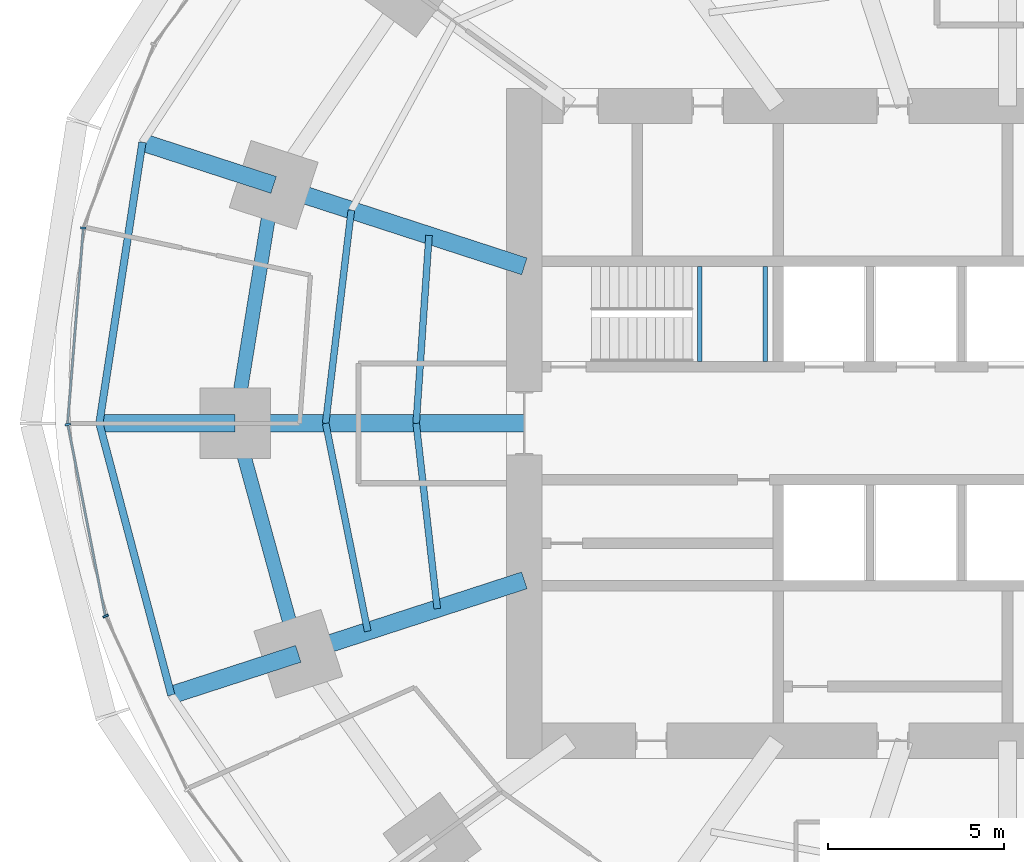
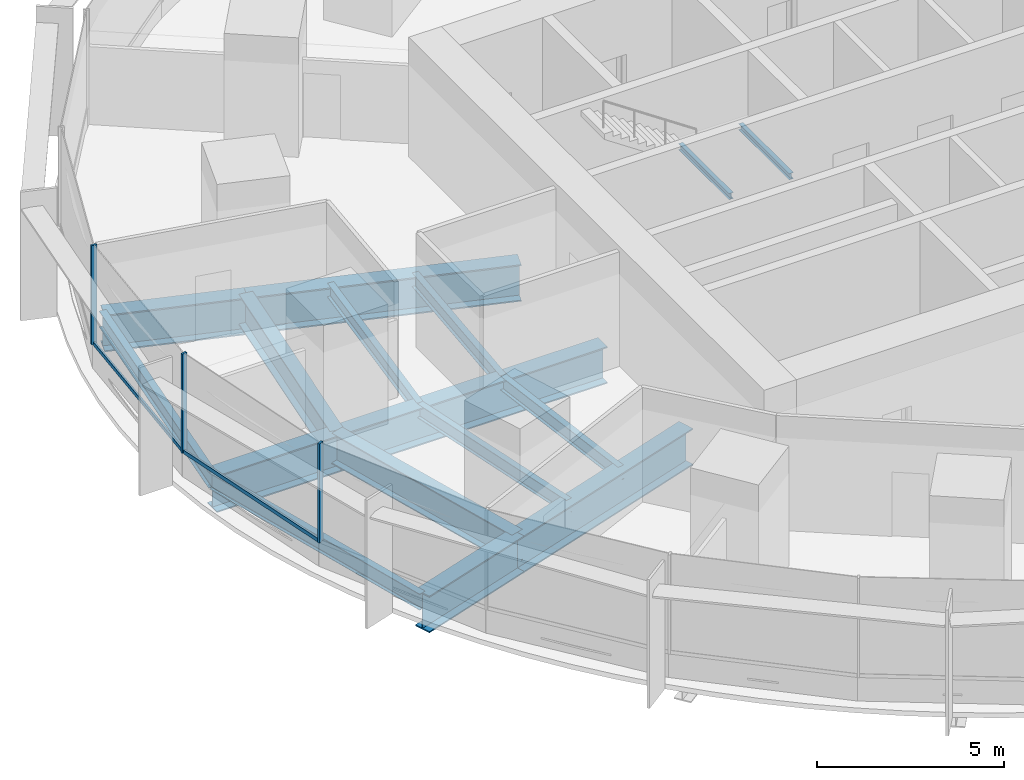
# One storey, part 4 of 15: 16 beams, 5 members, 2 elements without a shape of their own.
"""IFC4 building model written with IfcOpenShell, lengths in metres."""

from ifc_helpers import new_model, si_unit, direction, frame, origin, origin_2d, place, context, subcontext, project, spatial, rectangle, i_section, extrude, material, material_profile, profile_set, type_object, element, aggregate, save


model = new_model("IFC4")

# Units and contexts
model_context = context("Model", 3, precision=1e-05, world=origin(), true_north=direction((0.0, 1.0)))
body_context = subcontext(model_context, "Body", "Model", "MODEL_VIEW")
ifc_project = project(units=[si_unit("LENGTHUNIT", "METRE"), si_unit("AREAUNIT", "SQUARE_METRE"), si_unit("VOLUMEUNIT", "CUBIC_METRE"), si_unit("PLANEANGLEUNIT", "RADIAN"), si_unit("MASSUNIT", "GRAM", prefix="KILO")], contexts=[model_context])

# Site, building, storey
site_placement = place(None, origin())
site = spatial("IfcSite", under=ifc_project, at=site_placement, CompositionType="ELEMENT")
building_placement = place(site_placement, origin())
building = spatial("IfcBuilding", under=site, at=building_placement, Name="Marramba Exchange Tower", CompositionType="ELEMENT")
storey_placement = place(building_placement, frame((0.0, 0.0, 57.39990234375)))
storey = spatial("IfcBuildingStorey", under=building, at=storey_placement, Name="L13", CompositionType="ELEMENT", Elevation=57.39990234375)

# Beams
ifc_material_1 = material(Name="Steel AS/NZS 3679.2 grade 300", Category="steel")
ifc_material_profile_1 = material_profile(ifc_material_1, i_section(OverallWidth=0.5, OverallDepth=1.199951171875, WebThickness=0.01611328125, FlangeThickness=0.0400390625, at=origin_2d()), Name="1200WB455")
ifc_profile_set_1 = profile_set([ifc_material_profile_1], Name="Steel AS/NZS 3679.2 grade 300")
beam_type_1 = type_object("IfcBeamType", Name="Cantilever girder 1200WB455", PredefinedType="BEAM", material=ifc_profile_set_1)
beam_1_placement = place(storey_placement, frame((-20.808349609375, 6.760986328125, -0.760009765625), z_axis=(-0.951058833549, 0.309009862508, 0.0), x_axis=(-0.309009862508, -0.951058833549, 0.0)))
element("IfcBeam", 1, at=beam_1_placement, inside=storey, type_object=beam_type_1, Name="Cantilever girder L13 TC10", PredefinedType="BEAM", context=body_context, shape_type="SweptSolid", body=[
    extrude(i_section(OverallWidth=0.5, OverallDepth=1.199951171875, WebThickness=0.01611328125, FlangeThickness=0.0400390625, at=origin_2d()), origin(), (0.0, 0.0, 1.0), 3.91162109375),
])
beam_2_placement = place(storey_placement, frame((-21.89990234375, 0.0, -0.760009765625), z_axis=(-1.0, 0.0, 0.0), x_axis=(0.0, -1.0, 0.0)))
element("IfcBeam", 2, at=beam_2_placement, inside=storey, type_object=beam_type_1, Name="Cantilever girder L13 TC11", PredefinedType="BEAM", context=body_context, shape_type="SweptSolid", body=[
    extrude(i_section(OverallWidth=0.5, OverallDepth=1.199951171875, WebThickness=0.01611328125, FlangeThickness=0.0400390625, at=origin_2d()), origin(), (0.0, 0.0, 1.0), 3.85009765625),
])
beam_3_placement = place(storey_placement, frame((-20.109375, -6.533935546875, -0.760009765625), z_axis=(-0.951048759501, -0.309040866314, 0.0), x_axis=(0.309040866314, -0.951048759501, 0.0)))
element("IfcBeam", 3, at=beam_3_placement, inside=storey, type_object=beam_type_1, Name="Cantilever girder L13 TC12", PredefinedType="BEAM", context=body_context, shape_type="SweptSolid", body=[
    extrude(i_section(OverallWidth=0.5, OverallDepth=1.199951171875, WebThickness=0.01611328125, FlangeThickness=0.0400390625, at=origin_2d()), origin(), (0.0, 0.0, 1.0), 3.78564453125),
])
ifc_material_2 = material(Name="Steel AS/NZS 3679.1 grade 300", Category="steel")
ifc_material_profile_2 = material_profile(ifc_material_2, i_section(OverallWidth=0.18994140625, OverallDepth=0.4541015625, WebThickness=0.008544921875, FlangeThickness=0.0126953125, FilletRadius=0.011474609375, at=origin_2d()), Name="460UB67.1")
ifc_profile_set_2 = profile_set([ifc_material_profile_2], Name="Steel AS/NZS 3679.1 grade 300")
beam_type_2 = type_object("IfcBeamType", Name="Floor joist 460UB67.1", PredefinedType="JOIST", material=ifc_profile_set_2)
beam_4_placement = place(storey_placement, frame((-16.40283203125, 5.32958984375, -0.386962890625), z_axis=(-0.068096259546, -0.99767875563, 0.0), x_axis=(0.99767875563, -0.068096259546, 0.0)))
element("IfcBeam", 4, at=beam_4_placement, inside=storey, type_object=beam_type_2, Name="Joist L13 bay 10 row 1", PredefinedType="JOIST", context=body_context, shape_type="SweptSolid", body=[
    extrude(i_section(OverallWidth=0.18994140625, OverallDepth=0.4541015625, WebThickness=0.008544921875, FlangeThickness=0.0126953125, FilletRadius=0.011474609375, at=origin_2d()), origin(), (0.0, 0.0, 1.0), 5.342041015625),
])
beam_5_placement = place(storey_placement, frame((-18.60546875, 6.04541015625, -0.386962890625), z_axis=(-0.119523078538, -0.992831422597, 0.0), x_axis=(0.992831422597, -0.119523078538, 0.0)))
element("IfcBeam", 5, at=beam_5_placement, inside=storey, type_object=beam_type_2, Name="Joist L13 bay 10 row 2", PredefinedType="JOIST", context=body_context, shape_type="SweptSolid", body=[
    extrude(i_section(OverallWidth=0.18994140625, OverallDepth=0.4541015625, WebThickness=0.008544921875, FlangeThickness=0.0126953125, FilletRadius=0.011474609375, at=origin_2d()), origin(), (0.0, 0.0, 1.0), 6.089111328125),
])
beam_6_placement = place(storey_placement, frame((-16.7666015625, 0.0, -0.386962890625), z_axis=(0.112888968594, -0.993607609054, 0.0), x_axis=(0.993607609054, 0.112888968594, 0.0)))
element("IfcBeam", 6, at=beam_6_placement, inside=storey, type_object=beam_type_2, Name="Joist L13 bay 11 row 1", PredefinedType="JOIST", context=body_context, shape_type="SweptSolid", body=[
    extrude(i_section(OverallWidth=0.18994140625, OverallDepth=0.4541015625, WebThickness=0.008544921875, FlangeThickness=0.0126953125, FilletRadius=0.011474609375, at=origin_2d()), origin(), (0.0, 0.0, 1.0), 5.28759765625),
])
beam_7_placement = place(storey_placement, frame((-19.333251953125, 0.0, -0.386962890625), z_axis=(0.198489047047, -0.980103105904, 0.0), x_axis=(0.980103105904, 0.198489047047, 0.0)))
element("IfcBeam", 7, at=beam_7_placement, inside=storey, type_object=beam_type_2, Name="Joist L13 bay 11 row 2", PredefinedType="JOIST", context=body_context, shape_type="SweptSolid", body=[
    extrude(i_section(OverallWidth=0.18994140625, OverallDepth=0.4541015625, WebThickness=0.008544921875, FlangeThickness=0.0126953125, FilletRadius=0.011474609375, at=origin_2d()), origin(), (0.0, 0.0, 1.0), 6.013427734375),
])
ifc_material_profile_3 = material_profile(ifc_material_1, i_section(OverallWidth=0.5, OverallDepth=1.199951171875, WebThickness=0.01611328125, FlangeThickness=0.0400390625, at=origin_2d()), Name="1200WB455")
ifc_profile_set_3 = profile_set([ifc_material_profile_3], Name="Steel AS/NZS 3679.2 grade 300")
beam_type_3 = type_object("IfcBeamType", Name="Radial girder 1200WB455", PredefinedType="BEAM", material=ifc_profile_set_3)
beam_8_placement = place(storey_placement, frame((-13.699951171875, 4.451416015625, -0.760009765625), z_axis=(-0.951059990189, 0.309006302624, 0.0), x_axis=(-0.309006302624, -0.951059990189, 0.0)))
element("IfcBeam", 8, at=beam_8_placement, inside=storey, type_object=beam_type_3, Name="Radial girder L13 TC10", PredefinedType="BEAM", context=body_context, shape_type="SweptSolid", body=[
    extrude(i_section(OverallWidth=0.5, OverallDepth=1.199951171875, WebThickness=0.01611328125, FlangeThickness=0.0400390625, at=origin_2d()), origin(), (0.0, 0.0, 1.0), 7.47412109375),
])
beam_9_placement = place(storey_placement, frame((-13.699951171875, 0.0, -0.760009765625), z_axis=(-1.0, 0.0, 0.0), x_axis=(0.0, -1.0, 0.0)))
element("IfcBeam", 9, at=beam_9_placement, inside=storey, type_object=beam_type_3, Name="Radial girder L13 TC11", PredefinedType="BEAM", context=body_context, shape_type="SweptSolid", body=[
    extrude(i_section(OverallWidth=0.5, OverallDepth=1.199951171875, WebThickness=0.01611328125, FlangeThickness=0.0400390625, at=origin_2d()), origin(), (0.0, 0.0, 1.0), 8.199951171875),
])
beam_10_placement = place(storey_placement, frame((-13.699951171875, -4.451416015625, -0.760009765625), z_axis=(-0.951057759669, -0.309013167637, 0.0), x_axis=(0.309013167637, -0.951057759669, 0.0)))
element("IfcBeam", 10, at=beam_10_placement, inside=storey, type_object=beam_type_3, Name="Radial girder L13 TC12", PredefinedType="BEAM", context=body_context, shape_type="SweptSolid", body=[
    extrude(i_section(OverallWidth=0.5, OverallDepth=1.199951171875, WebThickness=0.01611328125, FlangeThickness=0.0400390625, at=origin_2d()), origin(), (0.0, 0.0, 1.0), 6.7392578125),
])
ifc_material_profile_4 = material_profile(ifc_material_1, i_section(OverallWidth=0.39990234375, OverallDepth=1.0, WebThickness=0.01611328125, FlangeThickness=0.031982421875, at=origin_2d()), Name="1000WB322")
ifc_profile_set_4 = profile_set([ifc_material_profile_4], Name="Steel AS/NZS 3679.2 grade 300")
beam_type_4 = type_object("IfcBeamType", Name="Ring beam 1000WB322", PredefinedType="SPANDREL", material=ifc_profile_set_4)
beam_11_placement = place(storey_placement, frame((-20.808349609375, 6.760986328125, -0.659912109375), z_axis=(-0.159384865399, -0.987216523708, 0.0), x_axis=(0.987216523708, -0.159384865399, 0.0)))
element("IfcBeam", 11, at=beam_11_placement, inside=storey, type_object=beam_type_4, Name="Ring beam L13 TC10-TC11", PredefinedType="SPANDREL", context=body_context, shape_type="SweptSolid", body=[
    extrude(i_section(OverallWidth=0.39990234375, OverallDepth=1.0, WebThickness=0.01611328125, FlangeThickness=0.031982421875, at=origin_2d()), origin(), (0.0, 0.0, 1.0), 6.8486328125),
])
beam_12_placement = place(storey_placement, frame((-21.89990234375, 0.0, -0.659912109375), z_axis=(0.264291166956, -0.964442937176, 0.0), x_axis=(0.964442937176, 0.264291166956, 0.0)))
element("IfcBeam", 12, at=beam_12_placement, inside=storey, type_object=beam_type_4, Name="Ring beam L13 TC11-TC12", PredefinedType="SPANDREL", context=body_context, shape_type="SweptSolid", body=[
    extrude(i_section(OverallWidth=0.39990234375, OverallDepth=1.0, WebThickness=0.01611328125, FlangeThickness=0.031982421875, at=origin_2d()), origin(), (0.0, 0.0, 1.0), 6.77490234375),
])
ifc_material_profile_5 = material_profile(ifc_material_2, i_section(OverallWidth=0.208984375, OverallDepth=0.528076171875, WebThickness=0.009521484375, FlangeThickness=0.01318359375, FilletRadius=0.013916015625, at=origin_2d()), Name="530UB82.0")
ifc_profile_set_5 = profile_set([ifc_material_profile_5], Name="Steel AS/NZS 3679.1 grade 300")
beam_type_5 = type_object("IfcBeamType", Name="Slab edge beam 530UB82.0", PredefinedType="SPANDREL", material=ifc_profile_set_5)
beam_13_placement = place(storey_placement, frame((-24.528564453125, 7.9697265625, -0.423828125), z_axis=(-0.151490591645, -0.988458699513, 0.0), x_axis=(0.988458699513, -0.151490591645, 0.0)))
element("IfcBeam", 13, at=beam_13_placement, inside=storey, type_object=beam_type_5, Name="Slab edge beam L13 TC10-TC11", PredefinedType="SPANDREL", context=body_context, shape_type="SweptSolid", body=[
    extrude(i_section(OverallWidth=0.208984375, OverallDepth=0.528076171875, WebThickness=0.009521484375, FlangeThickness=0.01318359375, FilletRadius=0.013916015625, at=origin_2d()), origin(), (0.0, 0.0, 1.0), 8.062744140625),
])
beam_14_placement = place(storey_placement, frame((-25.75, 0.0, -0.423828125), z_axis=(0.25601296674, -0.966673347549, 0.0), x_axis=(0.966673347549, 0.25601296674, 0.0)))
element("IfcBeam", 14, at=beam_14_placement, inside=storey, type_object=beam_type_5, Name="Slab edge beam L13 TC11-TC12", PredefinedType="SPANDREL", context=body_context, shape_type="SweptSolid", body=[
    extrude(i_section(OverallWidth=0.208984375, OverallDepth=0.528076171875, WebThickness=0.009521484375, FlangeThickness=0.01318359375, FilletRadius=0.013916015625, at=origin_2d()), origin(), (0.0, 0.0, 1.0), 7.969482421875),
])
ifc_material_profile_6 = material_profile(ifc_material_2, i_section(OverallWidth=0.133056640625, OverallDepth=0.202880859375, WebThickness=0.005859375, FlangeThickness=0.0078125, FilletRadius=0.0087890625, at=origin_2d()), Name="200UB25.4")
ifc_profile_set_6 = profile_set([ifc_material_profile_6], Name="Steel AS/NZS 3679.1 grade 300")
beam_type_6 = type_object("IfcBeamType", Name="Stair landing beam 200UB25.4", PredefinedType="BEAM", material=ifc_profile_set_6)
for number, where, z_axis, x_axis, name in (
    (15, (-8.723388671875, 1.75, 1.798583984375), (0.0, 1.0, 0.0), (-1.0, 0.0, 0.0), "Stair landing beam SLB1 ST1 L13 1"),
    (16, (-6.866455078125, 1.75, 1.798583984375), (0.0, 1.0, 0.0), (-1.0, 0.0, 0.0), "Stair landing beam SLB1 ST1 L13 2"),
):
    element("IfcBeam", number, at=place(storey_placement, frame(where, z_axis=z_axis, x_axis=x_axis)), inside=storey, type_object=beam_type_6, Name=name, PredefinedType="BEAM", context=body_context, shape_type="SweptSolid", body=[
        extrude(i_section(OverallWidth=0.133056640625, OverallDepth=0.202880859375, WebThickness=0.005859375, FlangeThickness=0.0078125, FilletRadius=0.0087890625, at=origin_2d()), origin(), (0.0, 0.0, 1.0), 2.699951171875),
    ])

# Curtain wall, member
ifc_material_3 = material(Name="Aluminium framing, bronze anodised", Category="aluminium")
curtain_wall_type = type_object("IfcCurtainWallType", Name="Trading floor ribbon curtain wall", PredefinedType="USERDEFINED", material=ifc_material_3)
curtain_wall_1_placement = place(storey_placement, origin())
curtain_wall_1 = element("IfcCurtainWall", 17, at=curtain_wall_1_placement, inside=storey, type_object=curtain_wall_type, Name="Curtain wall CW3 L13 F11-F15", ObjectType="RIBBON CURTAIN WALL", PredefinedType="USERDEFINED")
ifc_material_4 = material(Name="Aluminium mullion, bronze anodised", Category="aluminium")
ifc_material_profile_7 = material_profile(ifc_material_4, rectangle(XDim=0.159912109375, YDim=0.06005859375, at=origin_2d()), Name="CW3 mullion 60x160")
ifc_profile_set_7 = profile_set([ifc_material_profile_7], Name="Aluminium mullion, bronze anodised")
member_type_1 = type_object("IfcMemberType", Name="Trading floor ribbon curtain wall mullion", PredefinedType="MULLION", material=ifc_profile_set_7)
member_1_placement = place(storey_placement, frame((-26.203857421875, 5.539306640625, 0.800048828125), z_axis=(0.0, 0.0, 1.0), x_axis=(0.996772736434, -0.080275225953, 0.0)))
member_1 = element("IfcMember", 18, at=member_1_placement, type_object=member_type_1, Name="CW3 mullion 1", PredefinedType="MULLION", context=body_context, shape_type="SweptSolid", body=[
    extrude(rectangle(XDim=0.159912109375, YDim=0.06005859375, at=origin_2d()), origin(), (0.0, 0.0, 1.0), 3.239990234375),
])

# Curtain wall, members
curtain_wall_2_placement = place(storey_placement, origin())
curtain_wall_2 = element("IfcCurtainWall", 19, at=curtain_wall_2_placement, inside=storey, type_object=curtain_wall_type, Name="Curtain wall CW3 L13 F16-F20", ObjectType="RIBBON CURTAIN WALL", PredefinedType="USERDEFINED")
member_2_placement = place(storey_placement, frame((-26.644287109375, -0.029541015625, 0.800048828125), z_axis=(0.0, 0.0, 1.0), x_axis=(0.981346261612, 0.1922485756, 0.0)))
member_2 = element("IfcMember", 20, at=member_2_placement, type_object=member_type_1, Name="CW3 mullion 1", PredefinedType="MULLION", context=body_context, shape_type="SweptSolid", body=[
    extrude(rectangle(XDim=0.159912109375, YDim=0.06005859375, at=origin_2d()), origin(), (0.0, 0.0, 1.0), 3.239990234375),
])
member_3_placement = place(storey_placement, frame((-25.572021484375, -5.46533203125, 0.800048828125), z_axis=(0.0, 0.0, 1.0), x_axis=(0.905906758768, 0.423477206492, 0.0)))
member_3 = element("IfcMember", 21, at=member_3_placement, type_object=member_type_1, Name="CW3 mullion 1", PredefinedType="MULLION", context=body_context, shape_type="SweptSolid", body=[
    extrude(rectangle(XDim=0.159912109375, YDim=0.06005859375, at=origin_2d()), origin(), (0.0, 0.0, 1.0), 3.239990234375),
])

# Member
ifc_material_5 = material(Name="Aluminium transom, bronze anodised", Category="aluminium")
ifc_material_profile_8 = material_profile(ifc_material_5, rectangle(XDim=0.06005859375, YDim=0.1201171875, at=origin_2d()), Name="CW3 transom 60x120")
ifc_profile_set_8 = profile_set([ifc_material_profile_8], Name="Aluminium transom, bronze anodised")
member_type_2 = type_object("IfcMemberType", Name="Trading floor ribbon curtain wall transom", PredefinedType="USERDEFINED", material=ifc_profile_set_8)
member_4_placement = place(storey_placement, frame((-26.206298828125, 5.509521484375, 0.830078125), z_axis=(-0.080256075865, -0.996774278504, 0.0), x_axis=(0.996774278504, -0.080256075865, 0.0)))
member_4 = element("IfcMember", 22, at=member_4_placement, type_object=member_type_2, Name="CW3 sill transom", ObjectType="TRANSOM", PredefinedType="USERDEFINED", context=body_context, shape_type="SweptSolid", body=[
    extrude(rectangle(XDim=0.06005859375, YDim=0.1201171875, at=origin_2d()), origin(), (0.0, 0.0, 1.0), 5.52734375),
])

aggregate(curtain_wall_1, [member_1, member_4])

member_5_placement = place(storey_placement, frame((-26.638427734375, -0.058837890625, 0.830078125), z_axis=(0.192226081646, -0.981350667975, 0.0), x_axis=(0.981350667975, 0.192226081646, 0.0)))
member_5 = element("IfcMember", 23, at=member_5_placement, type_object=member_type_2, Name="CW3 sill transom", ObjectType="TRANSOM", PredefinedType="USERDEFINED", context=body_context, shape_type="SweptSolid", body=[
    extrude(rectangle(XDim=0.06005859375, YDim=0.1201171875, at=origin_2d()), origin(), (0.0, 0.0, 1.0), 5.481689453125),
])

aggregate(curtain_wall_2, [member_2, member_5, member_3])

save(model, "model.ifc")
